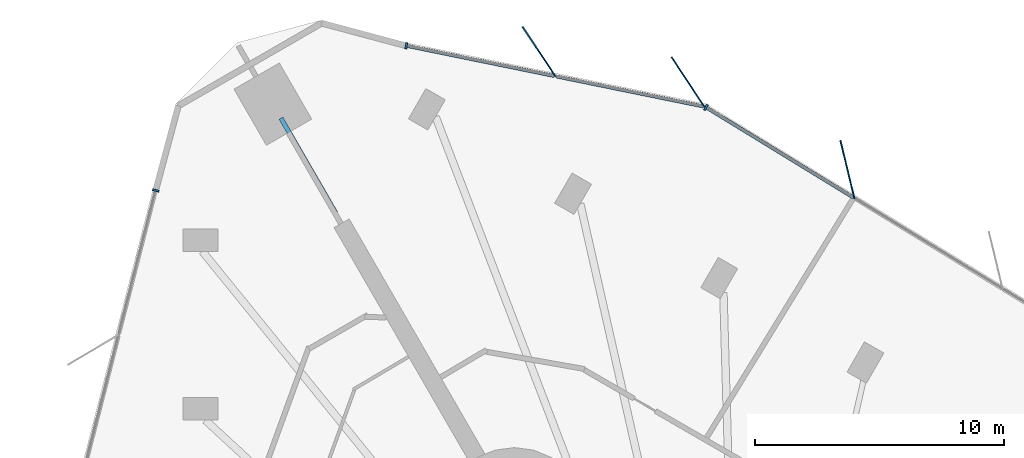
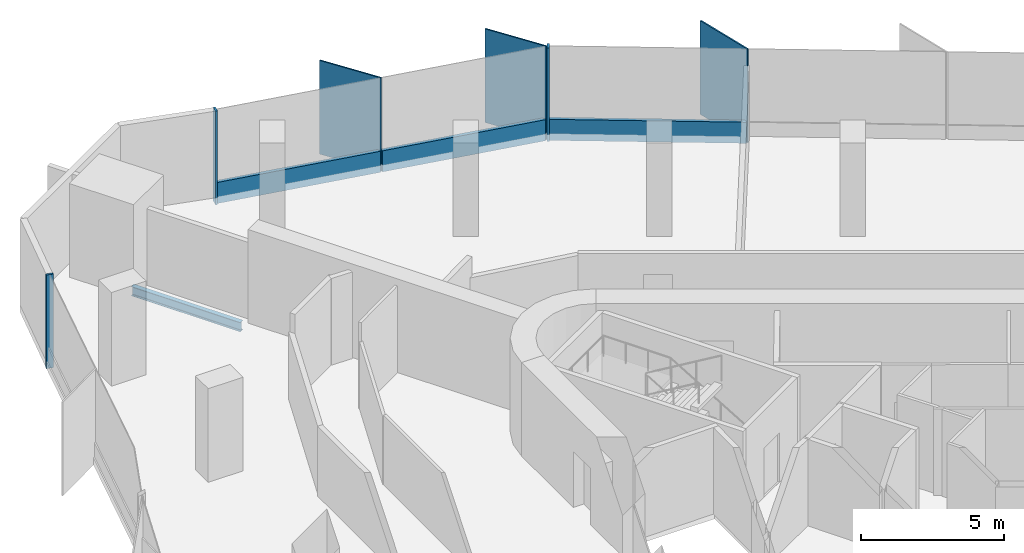
# One storey, part 6 of 14: 9 members, 1 beam, 3 elements without a shape of their own.
"""IFC4 building model written with IfcOpenShell, lengths in metres."""

from ifc_helpers import new_model, si_unit, direction, frame, origin, origin_2d, place, context, subcontext, project, spatial, rectangle, i_section, extrude, material, material_profile, profile_set, type_object, element, aggregate, save


model = new_model("IFC4")

# Units and contexts
model_context = context("Model", 3, precision=1e-05, world=origin(), true_north=direction((0.0, 1.0)))
body_context = subcontext(model_context, "Body", "Model", "MODEL_VIEW")
ifc_project = project(units=[si_unit("LENGTHUNIT", "METRE"), si_unit("AREAUNIT", "SQUARE_METRE"), si_unit("VOLUMEUNIT", "CUBIC_METRE"), si_unit("PLANEANGLEUNIT", "RADIAN"), si_unit("MASSUNIT", "GRAM", prefix="KILO")], contexts=[model_context])

# Site, building, storey
site_placement = place(None, origin())
site = spatial("IfcSite", under=ifc_project, at=site_placement, CompositionType="ELEMENT")
building_placement = place(site_placement, origin())
building = spatial("IfcBuilding", under=site, at=building_placement, Name="Tanit Gate Tower", CompositionType="ELEMENT")
storey_placement = place(building_placement, frame((0.0, 0.0, 241.199951171875)))
storey = spatial("IfcBuildingStorey", under=building, at=storey_placement, Name="L54", CompositionType="ELEMENT", Elevation=241.199951171875)

# Curtain wall, member
ifc_material_1 = material(Name="Aluminium bronze anodised and glass", Category="aluminium")
curtain_wall_type = type_object("IfcCurtainWallType", Name="Curtain wall typical mid", PredefinedType="NOTDEFINED", material=ifc_material_1)
curtain_wall_1_placement = place(storey_placement, origin())
curtain_wall_1 = element("IfcCurtainWall", 1, at=curtain_wall_1_placement, inside=storey, type_object=curtain_wall_type, Name="Curtain wall L54 NE2", PredefinedType="NOTDEFINED")
ifc_material_2 = material(Name="Aluminium bronze anodised", Category="aluminium")
ifc_material_profile_1 = material_profile(ifc_material_2, rectangle(XDim=2.39990234375, YDim=0.055908203125, at=origin_2d()), Name="56x2400 bronze fin mullion")
ifc_profile_set_1 = profile_set([ifc_material_profile_1], Name="Aluminium bronze anodised")
member_type_1 = type_object("IfcMemberType", Name="FIN MULLION 56x2400 bronze", PredefinedType="MULLION", material=ifc_profile_set_1)
member_1_placement = place(storey_placement, frame((4.259521484375, 29.914794921875, -0.300048828125), z_axis=(0.0, 0.0, 1.0), x_axis=(0.233691416098, -0.972310815553, 0.0)))
member_1 = element("IfcMember", 2, at=member_1_placement, type_object=member_type_1, Name="Fin mullion L54 NE2.5", PredefinedType="MULLION", context=body_context, shape_type="SweptSolid", body=[
    extrude(rectangle(XDim=2.39990234375, YDim=0.055908203125, at=origin_2d()), origin(), (0.0, 0.0, 1.0), 4.0),
])

# Curtain wall, members
curtain_wall_2_placement = place(storey_placement, origin())
curtain_wall_2 = element("IfcCurtainWall", 3, at=curtain_wall_2_placement, inside=storey, type_object=curtain_wall_type, Name="Curtain wall L54 NE3", PredefinedType="NOTDEFINED")
member_2_placement = place(storey_placement, frame((-2.135498046875, 33.423583984375, -0.300048828125), z_axis=(0.0, 0.0, 1.0), x_axis=(0.551315267276, -0.834296995121, 0.0)))
member_2 = element("IfcMember", 4, at=member_2_placement, type_object=member_type_1, Name="Fin mullion L54 NE3.1", PredefinedType="MULLION", context=body_context, shape_type="SweptSolid", body=[
    extrude(rectangle(XDim=2.39990234375, YDim=0.055908203125, at=origin_2d()), origin(), (0.0, 0.0, 1.0), 4.0),
])
member_3_placement = place(storey_placement, frame((-8.1083984375, 34.643310546875, -0.300048828125), z_axis=(0.0, 0.0, 1.0), x_axis=(0.551315267276, -0.834296995121, 0.0)))
member_3 = element("IfcMember", 5, at=member_3_placement, type_object=member_type_1, Name="Fin mullion L54 NE3.2", PredefinedType="MULLION", context=body_context, shape_type="SweptSolid", body=[
    extrude(rectangle(XDim=2.39990234375, YDim=0.055908203125, at=origin_2d()), origin(), (0.0, 0.0, 1.0), 4.0),
])

# Member
ifc_material_3 = material(Name="Aluminium bronze anodised", Category="aluminium")
ifc_material_profile_2 = material_profile(ifc_material_3, rectangle(XDim=0.260009765625, YDim=0.080078125, at=origin_2d()), Name="80x260 bronze mullion")
ifc_profile_set_2 = profile_set([ifc_material_profile_2], Name="Aluminium bronze anodised")
member_type_2 = type_object("IfcMemberType", Name="Mullion 80x260 typical mid", PredefinedType="MULLION", material=ifc_profile_set_2)
member_4_placement = place(storey_placement, frame((-1.412353515625, 32.4111328125, -0.300048828125), z_axis=(0.0, 0.0, 1.0), x_axis=(-0.522282786071, -0.852772356127, 0.0)))
member_4 = element("IfcMember", 6, at=member_4_placement, type_object=member_type_2, Name="Mullion L54 NE2.6", PredefinedType="MULLION", context=body_context, shape_type="SweptSolid", body=[
    extrude(rectangle(XDim=0.260009765625, YDim=0.080078125, at=origin_2d()), origin(), (0.0, 0.0, 1.0), 4.0),
])

member_5_placement = place(storey_placement, frame((-13.431640625, 34.879638671875, -0.300048828125), z_axis=(0.0, 0.0, 1.0), x_axis=(-0.200098298711, -0.979775826836, 0.0)))
member_5 = element("IfcMember", 7, at=member_5_placement, type_object=member_type_2, Name="Mullion L54 NE3.3", PredefinedType="MULLION", context=body_context, shape_type="SweptSolid", body=[
    extrude(rectangle(XDim=0.260009765625, YDim=0.080078125, at=origin_2d()), origin(), (0.0, 0.0, 1.0), 4.0),
])

# Curtain wall, member
curtain_wall_3_placement = place(storey_placement, origin())
curtain_wall_3 = element("IfcCurtainWall", 8, at=curtain_wall_3_placement, inside=storey, type_object=curtain_wall_type, Name="Curtain wall L54 W1", PredefinedType="NOTDEFINED")
member_6_placement = place(storey_placement, frame((-23.487060546875, 29.0751953125, -0.300048828125), z_axis=(0.0, 0.0, 1.0), x_axis=(0.968766723298, -0.247973861182, 0.0)))
member_6 = element("IfcMember", 9, at=member_6_placement, type_object=member_type_2, Name="Mullion L54 W1.1", PredefinedType="MULLION", context=body_context, shape_type="SweptSolid", body=[
    extrude(rectangle(XDim=0.260009765625, YDim=0.080078125, at=origin_2d()), origin(), (0.0, 0.0, 1.0), 4.0),
])
aggregate(curtain_wall_3, [member_6])

# Beam
ifc_material_4 = material(Name="Steel S355", Category="steel")
ifc_material_profile_3 = material_profile(ifc_material_4, i_section(OverallWidth=0.179931640625, OverallDepth=0.39990234375, WebThickness=0.008544921875, FlangeThickness=0.013427734375, FilletRadius=0.02099609375, at=origin_2d()), Name="IPE 400")
ifc_profile_set_3 = profile_set([ifc_material_profile_3], Name="Steel S355")
beam_type = type_object("IfcBeamType", Name="RADIAL GIRDER IPE 400 S355", PredefinedType="BEAM", material=ifc_profile_set_3)
beam_placement = place(storey_placement, frame((-18.459716796875, 31.973388671875, -0.5), z_axis=(0.499992938033, -0.866029480975, 0.0), x_axis=(0.866029480975, 0.499992938033, 0.0)))
element("IfcBeam", 10, at=beam_placement, inside=storey, type_object=beam_type, Name="RADIAL GIRDER", PredefinedType="BEAM", context=body_context, shape_type="SweptSolid", body=[
    extrude(i_section(OverallWidth=0.179931640625, OverallDepth=0.39990234375, WebThickness=0.008544921875, FlangeThickness=0.013427734375, FilletRadius=0.02099609375, at=origin_2d()), origin(), (0.0, 0.0, 1.0), 4.4013671875),
])

# Member
ifc_material_5 = material(Name="Aluminium bronze anodised", Category="aluminium")
ifc_material_profile_4 = material_profile(ifc_material_5, rectangle(XDim=0.139892578125, YDim=0.89990234375, at=origin_2d()), Name="140x900 bronze transom")
ifc_profile_set_4 = profile_set([ifc_material_profile_4], Name="Aluminium bronze anodised")
member_type_3 = type_object("IfcMemberType", Name="Transom 140x900 typical mid", PredefinedType="USERDEFINED", material=ifc_profile_set_4)
member_7_placement = place(storey_placement, frame((4.500732421875, 28.78955078125, 0.150146484375), z_axis=(-0.852770188009, 0.522286326111, 0.0), x_axis=(-0.522286326111, -0.852770188009, 0.0)))
member_7 = element("IfcMember", 11, at=member_7_placement, type_object=member_type_3, Name="Transom L54 NE2.5", ObjectType="TRANSOM", PredefinedType="USERDEFINED", context=body_context, shape_type="SweptSolid", body=[
    extrude(rectangle(XDim=0.139892578125, YDim=0.89990234375, at=origin_2d()), origin(), (0.0, 0.0, 1.0), 6.893798828125),
])

aggregate(curtain_wall_1, [member_1, member_4, member_7])

member_8_placement = place(storey_placement, frame((-1.52490234375, 32.447998046875, 0.150146484375), z_axis=(-0.979775004442, 0.200102325501, 0.0), x_axis=(-0.200102325501, -0.979775004442, 0.0)))
member_8 = element("IfcMember", 12, at=member_8_placement, type_object=member_type_3, Name="Transom L54 NE3.1", ObjectType="TRANSOM", PredefinedType="USERDEFINED", context=body_context, shape_type="SweptSolid", body=[
    extrude(rectangle(XDim=0.139892578125, YDim=0.89990234375, at=origin_2d()), origin(), (0.0, 0.0, 1.0), 6.01611328125),
])

member_9_placement = place(storey_placement, frame((-7.497802734375, 33.66796875, 0.150146484375), z_axis=(-0.979775004442, 0.200102325501, 0.0), x_axis=(-0.200102325501, -0.979775004442, 0.0)))
member_9 = element("IfcMember", 13, at=member_9_placement, type_object=member_type_3, Name="Transom L54 NE3.2", ObjectType="TRANSOM", PredefinedType="USERDEFINED", context=body_context, shape_type="SweptSolid", body=[
    extrude(rectangle(XDim=0.139892578125, YDim=0.89990234375, at=origin_2d()), origin(), (0.0, 0.0, 1.0), 6.01611328125),
])

aggregate(curtain_wall_2, [member_2, member_3, member_5, member_8, member_9])

save(model, "model.ifc")
